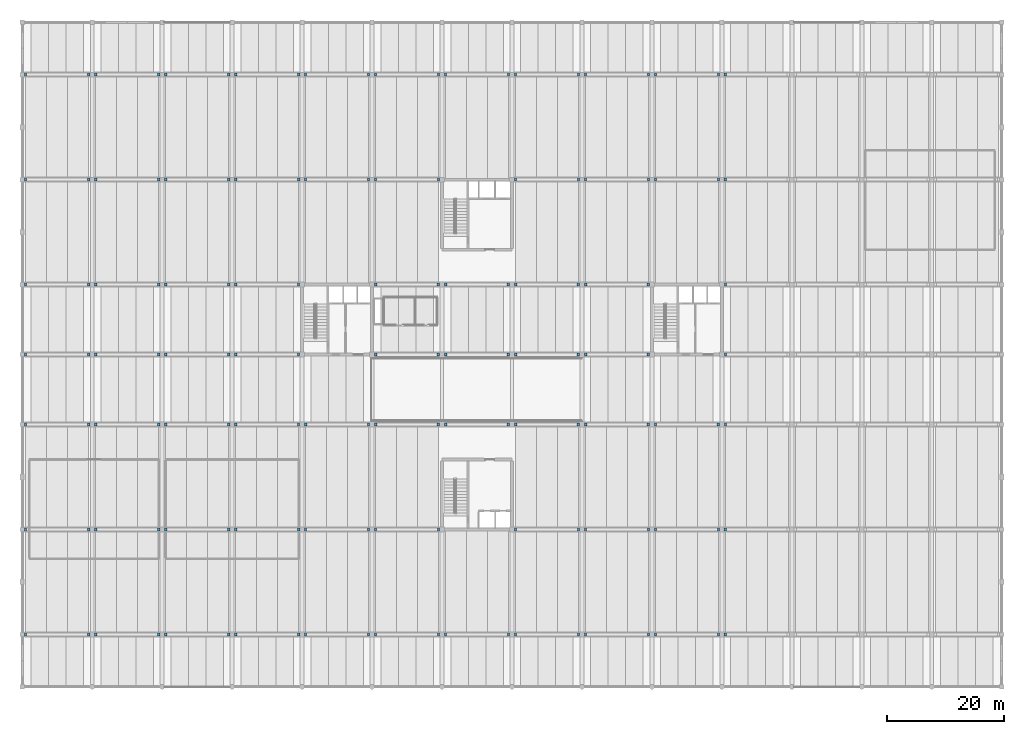
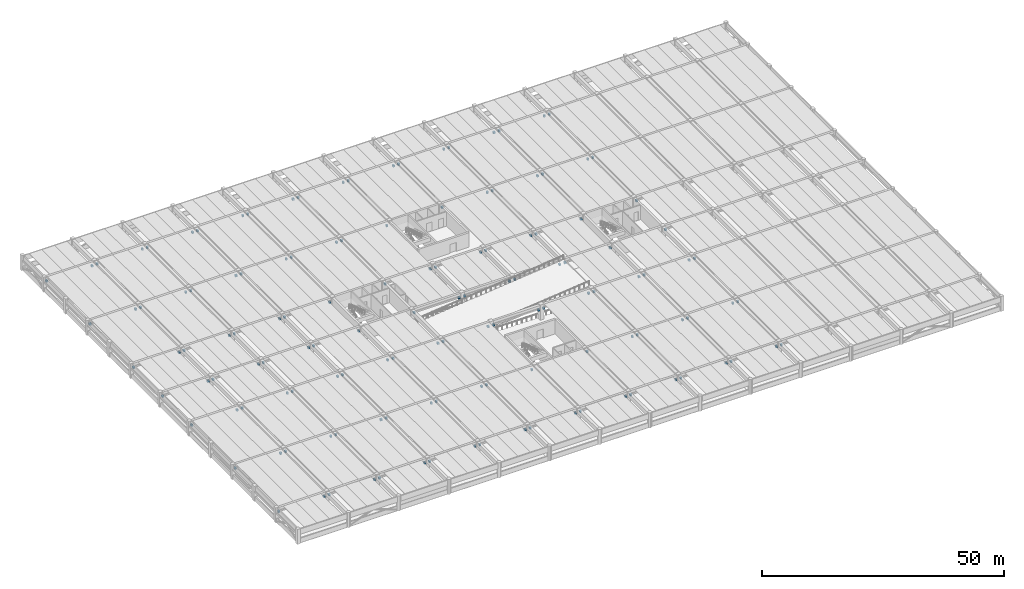
# One storey, part 15 of 21: 135 discrete accessories.
"""IFC4 building model written with IfcOpenShell, lengths in metres."""

from ifc_helpers import new_model, si_unit, direction, frame, origin, origin_2d, place, context, subcontext, project, spatial, rectangle, extrude, material, type_object, element, save


model = new_model("IFC4")

# Units and contexts
model_context = context("Model", 3, precision=1e-05, world=origin(), true_north=direction((0.0, 1.0)))
body_context = subcontext(model_context, "Body", "Model", "MODEL_VIEW")
ifc_project = project(units=[si_unit("LENGTHUNIT", "METRE"), si_unit("AREAUNIT", "SQUARE_METRE"), si_unit("VOLUMEUNIT", "CUBIC_METRE"), si_unit("PLANEANGLEUNIT", "RADIAN"), si_unit("MASSUNIT", "GRAM", prefix="KILO")], contexts=[model_context])

# Site, building, storey
site_placement = place(None, origin())
site = spatial("IfcSite", under=ifc_project, at=site_placement, CompositionType="ELEMENT")
building_placement = place(site_placement, origin())
building = spatial("IfcBuilding", under=site, at=building_placement, Name="Girod Span Mobility Hub", CompositionType="ELEMENT")
storey_placement = place(building_placement, frame((0.0, 0.0, 17.199951171875)))
storey = spatial("IfcBuildingStorey", under=building, at=storey_placement, Name="L04", CompositionType="ELEMENT", Elevation=17.199951171875)

# Discrete accessories
ifc_material = material(Name="Concrete C40/50", Category="concrete")
discrete_accessory_type = type_object("IfcDiscreteAccessoryType", Name="ACC-CORBEL-480", PredefinedType="BRACKET", material=ifc_material)
for number, where, z_axis, x_axis, name in (
    (1, (0.572998046875, 9.0, 2.152099609375), (0.0, 0.0, 1.0), (1.0, 0.0, 0.0), "Precast Corbel 1/B-L L04"),
    (2, (11.402099609375, 9.0, 2.152099609375), (0.0, 0.0, 1.0), (1.0, 0.0, 0.0), "Precast Corbel 1/B-R L04"),
    (3, (12.597900390625, 9.0, 2.212158203125), (0.0, 0.0, 1.0), (1.0, 0.0, 0.0), "Precast Corbel 2/B-L L04"),
    (4, (23.402099609375, 9.0, 2.212158203125), (0.0, 0.0, 1.0), (1.0, 0.0, 0.0), "Precast Corbel 2/B-R L04"),
    (5, (24.597900390625, 9.0, 2.212158203125), (0.0, 0.0, 1.0), (1.0, 0.0, 0.0), "Precast Corbel 3/B-L L04"),
    (6, (35.402099609375, 9.0, 2.212158203125), (0.0, 0.0, 1.0), (1.0, 0.0, 0.0), "Precast Corbel 3/B-R L04"),
    (7, (36.597900390625, 9.0, 2.212158203125), (0.0, 0.0, 1.0), (1.0, 0.0, 0.0), "Precast Corbel 4/B-L L04"),
    (8, (47.402099609375, 9.0, 2.212158203125), (0.0, 0.0, 1.0), (1.0, 0.0, 0.0), "Precast Corbel 4/B-R L04"),
    (9, (48.597900390625, 9.0, 2.212158203125), (0.0, 0.0, 1.0), (1.0, 0.0, 0.0), "Precast Corbel 5/B-L L04"),
    (10, (59.402099609375, 9.0, 2.212158203125), (0.0, 0.0, 1.0), (1.0, 0.0, 0.0), "Precast Corbel 5/B-R L04"),
    (11, (60.597900390625, 9.0, 2.212158203125), (0.0, 0.0, 1.0), (1.0, 0.0, 0.0), "Precast Corbel 6/B-L L04"),
    (12, (71.402099609375, 9.0, 2.212158203125), (0.0, 0.0, 1.0), (1.0, 0.0, 0.0), "Precast Corbel 6/B-R L04"),
    (13, (72.597900390625, 9.0, 2.212158203125), (0.0, 0.0, 1.0), (1.0, 0.0, 0.0), "Precast Corbel 7/B-L L04"),
    (14, (83.402099609375, 9.0, 2.212158203125), (0.0, 0.0, 1.0), (1.0, 0.0, 0.0), "Precast Corbel 7/B-R L04"),
    (15, (84.597900390625, 9.0, 2.212158203125), (0.0, 0.0, 1.0), (1.0, 0.0, 0.0), "Precast Corbel 8/B-L L04"),
    (16, (95.402099609375, 9.0, 2.212158203125), (0.0, 0.0, 1.0), (1.0, 0.0, 0.0), "Precast Corbel 8/B-R L04"),
    (17, (96.597900390625, 9.0, 2.212158203125), (0.0, 0.0, 1.0), (1.0, 0.0, 0.0), "Precast Corbel 9/B-L L04"),
    (18, (107.402099609375, 9.0, 2.212158203125), (0.0, 0.0, 1.0), (1.0, 0.0, 0.0), "Precast Corbel 9/B-R L04"),
    (19, (108.597900390625, 9.0, 2.212158203125), (0.0, 0.0, 1.0), (1.0, 0.0, 0.0), "Precast Corbel 10/B-L L04"),
    (20, (119.402099609375, 9.0, 2.212158203125), (0.0, 0.0, 1.0), (1.0, 0.0, 0.0), "Precast Corbel 10/B-R L04"),
    (21, (120.597900390625, 9.0, 2.212158203125), (0.0, 0.0, 1.0), (1.0, 0.0, 0.0), "Precast Corbel 11/B-L L04"),
    (22, (0.572998046875, 27.0, 2.152099609375), (0.0, 0.0, 1.0), (1.0, 0.0, 0.0), "Precast Corbel 1/C-L L04"),
    (23, (11.402099609375, 27.0, 2.152099609375), (0.0, 0.0, 1.0), (1.0, 0.0, 0.0), "Precast Corbel 1/C-R L04"),
    (24, (12.597900390625, 27.0, 2.212158203125), (0.0, 0.0, 1.0), (1.0, 0.0, 0.0), "Precast Corbel 2/C-L L04"),
    (25, (23.402099609375, 27.0, 2.212158203125), (0.0, 0.0, 1.0), (1.0, 0.0, 0.0), "Precast Corbel 2/C-R L04"),
    (26, (24.597900390625, 27.0, 2.212158203125), (0.0, 0.0, 1.0), (1.0, 0.0, 0.0), "Precast Corbel 3/C-L L04"),
    (27, (35.402099609375, 27.0, 2.212158203125), (0.0, 0.0, 1.0), (1.0, 0.0, 0.0), "Precast Corbel 3/C-R L04"),
    (28, (36.597900390625, 27.0, 2.212158203125), (0.0, 0.0, 1.0), (1.0, 0.0, 0.0), "Precast Corbel 4/C-L L04"),
    (29, (47.402099609375, 27.0, 2.212158203125), (0.0, 0.0, 1.0), (1.0, 0.0, 0.0), "Precast Corbel 4/C-R L04"),
    (30, (48.597900390625, 27.0, 2.212158203125), (0.0, 0.0, 1.0), (1.0, 0.0, 0.0), "Precast Corbel 5/C-L L04"),
    (31, (59.402099609375, 27.0, 2.212158203125), (0.0, 0.0, 1.0), (1.0, 0.0, 0.0), "Precast Corbel 5/C-R L04"),
    (32, (60.597900390625, 27.0, 2.212158203125), (0.0, 0.0, 1.0), (1.0, 0.0, 0.0), "Precast Corbel 6/C-L L04"),
    (33, (71.402099609375, 27.0, 2.212158203125), (0.0, 0.0, 1.0), (1.0, 0.0, 0.0), "Precast Corbel 6/C-R L04"),
    (34, (84.597900390625, 27.0, 2.212158203125), (0.0, 0.0, 1.0), (1.0, 0.0, 0.0), "Precast Corbel 8/C-L L04"),
    (35, (95.402099609375, 27.0, 2.212158203125), (0.0, 0.0, 1.0), (1.0, 0.0, 0.0), "Precast Corbel 8/C-R L04"),
    (36, (96.597900390625, 27.0, 2.212158203125), (0.0, 0.0, 1.0), (1.0, 0.0, 0.0), "Precast Corbel 9/C-L L04"),
    (37, (107.402099609375, 27.0, 2.212158203125), (0.0, 0.0, 1.0), (1.0, 0.0, 0.0), "Precast Corbel 9/C-R L04"),
    (38, (108.597900390625, 27.0, 2.212158203125), (0.0, 0.0, 1.0), (1.0, 0.0, 0.0), "Precast Corbel 10/C-L L04"),
    (39, (119.402099609375, 27.0, 2.212158203125), (0.0, 0.0, 1.0), (1.0, 0.0, 0.0), "Precast Corbel 10/C-R L04"),
    (40, (120.597900390625, 27.0, 2.212158203125), (0.0, 0.0, 1.0), (1.0, 0.0, 0.0), "Precast Corbel 11/C-L L04"),
    (41, (0.572998046875, 45.0, 2.152099609375), (0.0, 0.0, 1.0), (1.0, 0.0, 0.0), "Precast Corbel 1/D-L L04"),
    (42, (11.402099609375, 45.0, 2.152099609375), (0.0, 0.0, 1.0), (1.0, 0.0, 0.0), "Precast Corbel 1/D-R L04"),
    (43, (12.597900390625, 45.0, 2.212158203125), (0.0, 0.0, 1.0), (1.0, 0.0, 0.0), "Precast Corbel 2/D-L L04"),
    (44, (23.402099609375, 45.0, 2.212158203125), (0.0, 0.0, 1.0), (1.0, 0.0, 0.0), "Precast Corbel 2/D-R L04"),
    (45, (24.597900390625, 45.0, 2.212158203125), (0.0, 0.0, 1.0), (1.0, 0.0, 0.0), "Precast Corbel 3/D-L L04"),
    (46, (35.402099609375, 45.0, 2.212158203125), (0.0, 0.0, 1.0), (1.0, 0.0, 0.0), "Precast Corbel 3/D-R L04"),
    (47, (36.597900390625, 45.0, 2.212158203125), (0.0, 0.0, 1.0), (1.0, 0.0, 0.0), "Precast Corbel 4/D-L L04"),
    (48, (47.376953125, 45.0, 2.212158203125), (0.0, 0.0, 1.0), (1.0, 0.0, 0.0), "Precast Corbel 4/D-R L04"),
    (49, (48.623046875, 45.0, 2.212158203125), (0.0, 0.0, 1.0), (1.0, 0.0, 0.0), "Precast Corbel 5/D-L L04"),
    (50, (59.376953125, 45.0, 2.212158203125), (0.0, 0.0, 1.0), (1.0, 0.0, 0.0), "Precast Corbel 5/D-R L04"),
    (51, (60.623046875, 45.0, 2.212158203125), (0.0, 0.0, 1.0), (1.0, 0.0, 0.0), "Precast Corbel 6/D-L L04"),
    (52, (71.376953125, 45.0, 2.212158203125), (0.0, 0.0, 1.0), (1.0, 0.0, 0.0), "Precast Corbel 6/D-R L04"),
    (53, (72.623046875, 45.0, 2.212158203125), (0.0, 0.0, 1.0), (1.0, 0.0, 0.0), "Precast Corbel 7/D-L L04"),
    (54, (83.376953125, 45.0, 2.212158203125), (0.0, 0.0, 1.0), (1.0, 0.0, 0.0), "Precast Corbel 7/D-R L04"),
    (55, (84.623046875, 45.0, 2.212158203125), (0.0, 0.0, 1.0), (1.0, 0.0, 0.0), "Precast Corbel 8/D-L L04"),
    (56, (95.376953125, 45.0, 2.212158203125), (0.0, 0.0, 1.0), (1.0, 0.0, 0.0), "Precast Corbel 8/D-R L04"),
    (57, (96.623046875, 45.0, 2.212158203125), (0.0, 0.0, 1.0), (1.0, 0.0, 0.0), "Precast Corbel 9/D-L L04"),
    (58, (107.376953125, 45.0, 2.212158203125), (0.0, 0.0, 1.0), (1.0, 0.0, 0.0), "Precast Corbel 9/D-R L04"),
    (59, (108.623046875, 45.0, 2.212158203125), (0.0, 0.0, 1.0), (1.0, 0.0, 0.0), "Precast Corbel 10/D-L L04"),
    (60, (119.376953125, 45.0, 2.212158203125), (0.0, 0.0, 1.0), (1.0, 0.0, 0.0), "Precast Corbel 10/D-R L04"),
    (61, (120.623046875, 45.0, 2.212158203125), (0.0, 0.0, 1.0), (1.0, 0.0, 0.0), "Precast Corbel 11/D-L L04"),
    (62, (0.572998046875, 57.0, 2.152099609375), (0.0, 0.0, 1.0), (1.0, 0.0, 0.0), "Precast Corbel 1/E-L L04"),
    (63, (11.402099609375, 57.0, 2.152099609375), (0.0, 0.0, 1.0), (1.0, 0.0, 0.0), "Precast Corbel 1/E-R L04"),
    (64, (12.597900390625, 57.0, 2.212158203125), (0.0, 0.0, 1.0), (1.0, 0.0, 0.0), "Precast Corbel 2/E-L L04"),
    (65, (23.402099609375, 57.0, 2.212158203125), (0.0, 0.0, 1.0), (1.0, 0.0, 0.0), "Precast Corbel 2/E-R L04"),
    (66, (24.597900390625, 57.0, 2.212158203125), (0.0, 0.0, 1.0), (1.0, 0.0, 0.0), "Precast Corbel 3/E-L L04"),
    (67, (35.402099609375, 57.0, 2.212158203125), (0.0, 0.0, 1.0), (1.0, 0.0, 0.0), "Precast Corbel 3/E-R L04"),
    (68, (36.597900390625, 57.0, 2.212158203125), (0.0, 0.0, 1.0), (1.0, 0.0, 0.0), "Precast Corbel 4/E-L L04"),
    (69, (47.376953125, 57.0, 2.212158203125), (0.0, 0.0, 1.0), (1.0, 0.0, 0.0), "Precast Corbel 4/E-R L04"),
    (70, (60.623046875, 57.0, 2.212158203125), (0.0, 0.0, 1.0), (1.0, 0.0, 0.0), "Precast Corbel 6/E-L L04"),
    (71, (71.376953125, 57.0, 2.212158203125), (0.0, 0.0, 1.0), (1.0, 0.0, 0.0), "Precast Corbel 6/E-R L04"),
    (72, (72.623046875, 57.0, 2.212158203125), (0.0, 0.0, 1.0), (1.0, 0.0, 0.0), "Precast Corbel 7/E-L L04"),
    (73, (83.376953125, 57.0, 2.212158203125), (0.0, 0.0, 1.0), (1.0, 0.0, 0.0), "Precast Corbel 7/E-R L04"),
    (74, (84.623046875, 57.0, 2.212158203125), (0.0, 0.0, 1.0), (1.0, 0.0, 0.0), "Precast Corbel 8/E-L L04"),
    (75, (95.376953125, 57.0, 2.212158203125), (0.0, 0.0, 1.0), (1.0, 0.0, 0.0), "Precast Corbel 8/E-R L04"),
    (76, (96.623046875, 57.0, 2.212158203125), (0.0, 0.0, 1.0), (1.0, 0.0, 0.0), "Precast Corbel 9/E-L L04"),
    (77, (107.376953125, 57.0, 2.212158203125), (0.0, 0.0, 1.0), (1.0, 0.0, 0.0), "Precast Corbel 9/E-R L04"),
    (78, (120.623046875, 57.0, 2.212158203125), (0.0, 0.0, 1.0), (1.0, 0.0, 0.0), "Precast Corbel 11/E-L L04"),
    (79, (0.572998046875, 69.0, 2.152099609375), (0.0, 0.0, 1.0), (1.0, 0.0, 0.0), "Precast Corbel 1/F-L L04"),
    (80, (11.402099609375, 69.0, 2.152099609375), (0.0, 0.0, 1.0), (1.0, 0.0, 0.0), "Precast Corbel 1/F-R L04"),
    (81, (12.597900390625, 69.0, 2.212158203125), (0.0, 0.0, 1.0), (1.0, 0.0, 0.0), "Precast Corbel 2/F-L L04"),
    (82, (23.402099609375, 69.0, 2.212158203125), (0.0, 0.0, 1.0), (1.0, 0.0, 0.0), "Precast Corbel 2/F-R L04"),
    (83, (24.597900390625, 69.0, 2.212158203125), (0.0, 0.0, 1.0), (1.0, 0.0, 0.0), "Precast Corbel 3/F-L L04"),
    (84, (35.402099609375, 69.0, 2.212158203125), (0.0, 0.0, 1.0), (1.0, 0.0, 0.0), "Precast Corbel 3/F-R L04"),
    (85, (36.597900390625, 69.0, 2.212158203125), (0.0, 0.0, 1.0), (1.0, 0.0, 0.0), "Precast Corbel 4/F-L L04"),
    (86, (47.376953125, 69.0, 2.212158203125), (0.0, 0.0, 1.0), (1.0, 0.0, 0.0), "Precast Corbel 4/F-R L04"),
    (87, (60.623046875, 69.0, 2.212158203125), (0.0, 0.0, 1.0), (1.0, 0.0, 0.0), "Precast Corbel 6/F-L L04"),
    (88, (71.376953125, 69.0, 2.212158203125), (0.0, 0.0, 1.0), (1.0, 0.0, 0.0), "Precast Corbel 6/F-R L04"),
    (89, (72.623046875, 69.0, 2.212158203125), (0.0, 0.0, 1.0), (1.0, 0.0, 0.0), "Precast Corbel 7/F-L L04"),
    (90, (83.376953125, 69.0, 2.212158203125), (0.0, 0.0, 1.0), (1.0, 0.0, 0.0), "Precast Corbel 7/F-R L04"),
    (91, (84.623046875, 69.0, 2.212158203125), (0.0, 0.0, 1.0), (1.0, 0.0, 0.0), "Precast Corbel 8/F-L L04"),
    (92, (95.376953125, 69.0, 2.212158203125), (0.0, 0.0, 1.0), (1.0, 0.0, 0.0), "Precast Corbel 8/F-R L04"),
    (93, (96.623046875, 69.0, 2.212158203125), (0.0, 0.0, 1.0), (1.0, 0.0, 0.0), "Precast Corbel 9/F-L L04"),
    (94, (107.376953125, 69.0, 2.212158203125), (0.0, 0.0, 1.0), (1.0, 0.0, 0.0), "Precast Corbel 9/F-R L04"),
    (95, (120.623046875, 69.0, 2.212158203125), (0.0, 0.0, 1.0), (1.0, 0.0, 0.0), "Precast Corbel 11/F-L L04"),
    (96, (0.572998046875, 87.0, 2.152099609375), (0.0, 0.0, 1.0), (1.0, 0.0, 0.0), "Precast Corbel 1/G-L L04"),
    (97, (11.402099609375, 87.0, 2.152099609375), (0.0, 0.0, 1.0), (1.0, 0.0, 0.0), "Precast Corbel 1/G-R L04"),
    (98, (12.597900390625, 87.0, 2.212158203125), (0.0, 0.0, 1.0), (1.0, 0.0, 0.0), "Precast Corbel 2/G-L L04"),
    (99, (23.402099609375, 87.0, 2.212158203125), (0.0, 0.0, 1.0), (1.0, 0.0, 0.0), "Precast Corbel 2/G-R L04"),
    (100, (24.597900390625, 87.0, 2.212158203125), (0.0, 0.0, 1.0), (1.0, 0.0, 0.0), "Precast Corbel 3/G-L L04"),
    (101, (35.402099609375, 87.0, 2.212158203125), (0.0, 0.0, 1.0), (1.0, 0.0, 0.0), "Precast Corbel 3/G-R L04"),
    (102, (36.597900390625, 87.0, 2.212158203125), (0.0, 0.0, 1.0), (1.0, 0.0, 0.0), "Precast Corbel 4/G-L L04"),
    (103, (47.402099609375, 87.0, 2.212158203125), (0.0, 0.0, 1.0), (1.0, 0.0, 0.0), "Precast Corbel 4/G-R L04"),
    (104, (48.597900390625, 87.0, 2.212158203125), (0.0, 0.0, 1.0), (1.0, 0.0, 0.0), "Precast Corbel 5/G-L L04"),
    (105, (59.402099609375, 87.0, 2.212158203125), (0.0, 0.0, 1.0), (1.0, 0.0, 0.0), "Precast Corbel 5/G-R L04"),
    (106, (60.597900390625, 87.0, 2.212158203125), (0.0, 0.0, 1.0), (1.0, 0.0, 0.0), "Precast Corbel 6/G-L L04"),
    (107, (71.402099609375, 87.0, 2.212158203125), (0.0, 0.0, 1.0), (1.0, 0.0, 0.0), "Precast Corbel 6/G-R L04"),
    (108, (84.597900390625, 87.0, 2.212158203125), (0.0, 0.0, 1.0), (1.0, 0.0, 0.0), "Precast Corbel 8/G-L L04"),
    (109, (95.402099609375, 87.0, 2.212158203125), (0.0, 0.0, 1.0), (1.0, 0.0, 0.0), "Precast Corbel 8/G-R L04"),
    (110, (96.597900390625, 87.0, 2.212158203125), (0.0, 0.0, 1.0), (1.0, 0.0, 0.0), "Precast Corbel 9/G-L L04"),
    (111, (107.402099609375, 87.0, 2.212158203125), (0.0, 0.0, 1.0), (1.0, 0.0, 0.0), "Precast Corbel 9/G-R L04"),
    (112, (108.597900390625, 87.0, 2.212158203125), (0.0, 0.0, 1.0), (1.0, 0.0, 0.0), "Precast Corbel 10/G-L L04"),
    (113, (119.402099609375, 87.0, 2.212158203125), (0.0, 0.0, 1.0), (1.0, 0.0, 0.0), "Precast Corbel 10/G-R L04"),
    (114, (120.597900390625, 87.0, 2.212158203125), (0.0, 0.0, 1.0), (1.0, 0.0, 0.0), "Precast Corbel 11/G-L L04"),
    (115, (0.572998046875, 105.0, 2.152099609375), (0.0, 0.0, 1.0), (1.0, 0.0, 0.0), "Precast Corbel 1/H-L L04"),
    (116, (11.402099609375, 105.0, 2.152099609375), (0.0, 0.0, 1.0), (1.0, 0.0, 0.0), "Precast Corbel 1/H-R L04"),
    (117, (12.597900390625, 105.0, 2.212158203125), (0.0, 0.0, 1.0), (1.0, 0.0, 0.0), "Precast Corbel 2/H-L L04"),
    (118, (23.402099609375, 105.0, 2.212158203125), (0.0, 0.0, 1.0), (1.0, 0.0, 0.0), "Precast Corbel 2/H-R L04"),
    (119, (24.597900390625, 105.0, 2.212158203125), (0.0, 0.0, 1.0), (1.0, 0.0, 0.0), "Precast Corbel 3/H-L L04"),
    (120, (35.402099609375, 105.0, 2.212158203125), (0.0, 0.0, 1.0), (1.0, 0.0, 0.0), "Precast Corbel 3/H-R L04"),
    (121, (36.597900390625, 105.0, 2.212158203125), (0.0, 0.0, 1.0), (1.0, 0.0, 0.0), "Precast Corbel 4/H-L L04"),
    (122, (47.402099609375, 105.0, 2.212158203125), (0.0, 0.0, 1.0), (1.0, 0.0, 0.0), "Precast Corbel 4/H-R L04"),
    (123, (48.597900390625, 105.0, 2.212158203125), (0.0, 0.0, 1.0), (1.0, 0.0, 0.0), "Precast Corbel 5/H-L L04"),
    (124, (59.402099609375, 105.0, 2.212158203125), (0.0, 0.0, 1.0), (1.0, 0.0, 0.0), "Precast Corbel 5/H-R L04"),
    (125, (60.597900390625, 105.0, 2.212158203125), (0.0, 0.0, 1.0), (1.0, 0.0, 0.0), "Precast Corbel 6/H-L L04"),
    (126, (71.402099609375, 105.0, 2.212158203125), (0.0, 0.0, 1.0), (1.0, 0.0, 0.0), "Precast Corbel 6/H-R L04"),
    (127, (72.597900390625, 105.0, 2.212158203125), (0.0, 0.0, 1.0), (1.0, 0.0, 0.0), "Precast Corbel 7/H-L L04"),
    (128, (83.402099609375, 105.0, 2.212158203125), (0.0, 0.0, 1.0), (1.0, 0.0, 0.0), "Precast Corbel 7/H-R L04"),
    (129, (84.597900390625, 105.0, 2.212158203125), (0.0, 0.0, 1.0), (1.0, 0.0, 0.0), "Precast Corbel 8/H-L L04"),
    (130, (95.402099609375, 105.0, 2.212158203125), (0.0, 0.0, 1.0), (1.0, 0.0, 0.0), "Precast Corbel 8/H-R L04"),
    (131, (96.597900390625, 105.0, 2.212158203125), (0.0, 0.0, 1.0), (1.0, 0.0, 0.0), "Precast Corbel 9/H-L L04"),
    (132, (107.402099609375, 105.0, 2.212158203125), (0.0, 0.0, 1.0), (1.0, 0.0, 0.0), "Precast Corbel 9/H-R L04"),
    (133, (108.597900390625, 105.0, 2.212158203125), (0.0, 0.0, 1.0), (1.0, 0.0, 0.0), "Precast Corbel 10/H-L L04"),
    (134, (119.402099609375, 105.0, 2.212158203125), (0.0, 0.0, 1.0), (1.0, 0.0, 0.0), "Precast Corbel 10/H-R L04"),
    (135, (120.597900390625, 105.0, 2.212158203125), (0.0, 0.0, 1.0), (1.0, 0.0, 0.0), "Precast Corbel 11/H-L L04"),
):
    element("IfcDiscreteAccessory", number, at=place(storey_placement, frame(where, z_axis=z_axis, x_axis=x_axis)), inside=storey, type_object=discrete_accessory_type, Name=name, PredefinedType="BRACKET", context=body_context, shape_type="SweptSolid", body=[
        extrude(rectangle(XDim=0.39990234375, YDim=0.5, at=origin_2d()), origin(), (0.0, 0.0, 1.0), 0.47998046875),
    ])

save(model, "model.ifc")
